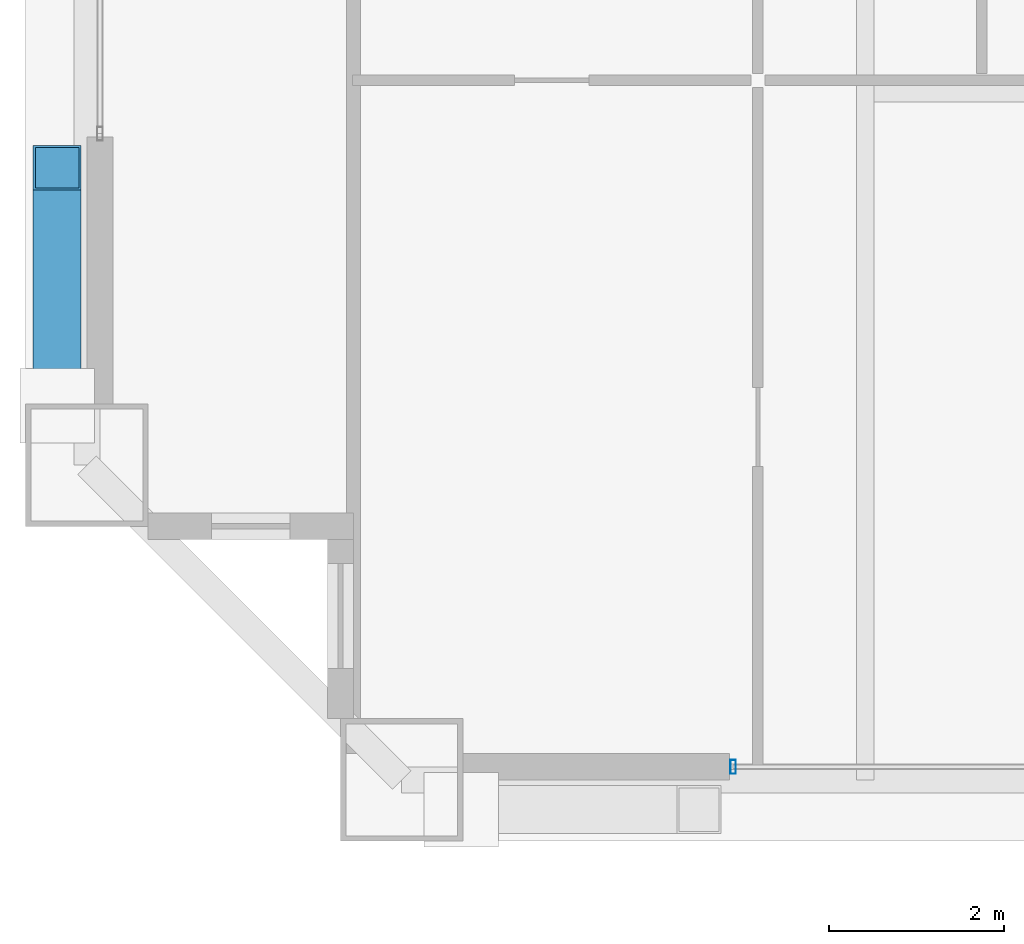
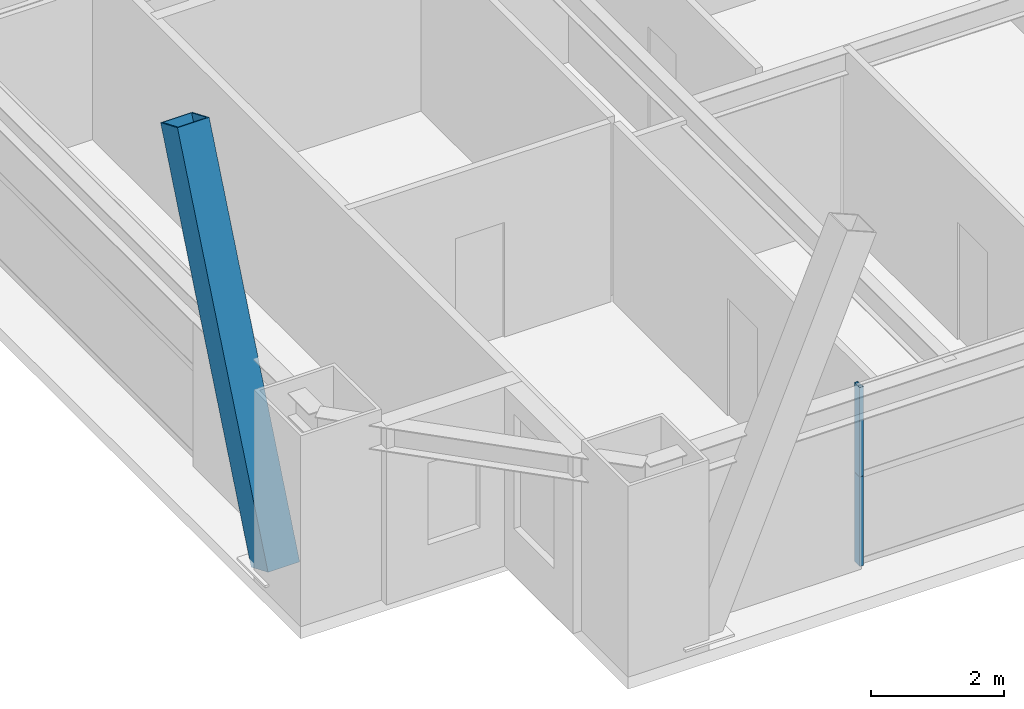
# One storey, part 4 of 45: 3 members, 1 element without a shape of its own.
"""IFC4 building model written with IfcOpenShell, lengths in metres."""

from ifc_helpers import new_model, si_unit, direction, frame, origin, origin_2d, place, context, subcontext, project, spatial, hollow_rectangle, extrude, source, transform, mapped, material, layer, layer_set, material_profile, profile_set, type_object, element, aggregate, save


model = new_model("IFC4")

# Units and contexts
model_context = context("Model", 3, precision=1e-05, world=origin(), true_north=direction((0.0, 1.0)))
body_context = subcontext(model_context, "Body", "Model", "MODEL_VIEW")
ifc_project = project(units=[si_unit("LENGTHUNIT", "METRE"), si_unit("AREAUNIT", "SQUARE_METRE"), si_unit("VOLUMEUNIT", "CUBIC_METRE"), si_unit("PLANEANGLEUNIT", "RADIAN"), si_unit("MASSUNIT", "GRAM", prefix="KILO"), si_unit("THERMODYNAMICTEMPERATUREUNIT", "KELVIN"), si_unit("POWERUNIT", "WATT")], contexts=[model_context])

# Site, building, storey
site_placement = place(None, origin())
site = spatial("IfcSite", under=ifc_project, at=site_placement, CompositionType="ELEMENT")
building_placement = place(site_placement, origin())
building = spatial("IfcBuilding", under=site, at=building_placement, Name="Yuzanri Waterfront Tower", CompositionType="ELEMENT")
storey_placement = place(building_placement, frame((0.0, 0.0, 198.5)))
storey = spatial("IfcBuildingStorey", under=building, at=storey_placement, Name="L52", CompositionType="ELEMENT", Elevation=198.5)

# Member
ifc_material_1 = material(Name="Steel Q390GJC", Category="steel")
ifc_material_profile_1 = material_profile(ifc_material_1, hollow_rectangle(XDim=0.550048828125, YDim=0.550048828125, WallThickness=0.02490234375, at=origin_2d()), Name="RHS 550x550x25")
ifc_profile_set_1 = profile_set([ifc_material_profile_1], Name="Steel Q390GJC")
member_type_1 = type_object("IfcMemberType", Name="Mega Brace Mid Q390GJC RHS 550x550x25", PredefinedType="BRACE", material=ifc_profile_set_1)
shared_shape_1 = source(origin(), body_context, "Body", "SweptSolid", [
    extrude(hollow_rectangle(XDim=0.550048828125, YDim=0.550048828125, WallThickness=0.02490234375, at=origin_2d()), origin(), (0.0, 0.0, 1.0), 7.046142578125),
])
member_1_placement = place(storey_placement, frame((14.56005859375, 7.97998046875, 0.179931640625), z_axis=(0.0, 0.386022211732, 0.922489486146), x_axis=(-1.0, 0.0, 0.0)))
element("IfcMember", 1, at=member_1_placement, inside=storey, type_object=member_type_1, Name="L52-L53 Perimeter Mega-Brace W-L", PredefinedType="BRACE", context=body_context, shape_type="MappedRepresentation", body=[
    mapped(shared_shape_1, transform((0.0, 0.0, 0.0), scale=1.0)),
])

# Curtain wall, members
ifc_material_2 = material(Name="Anodized Architectural Bronze", Category="metal")
ifc_layer = layer(ifc_material_2, 0.159912109375)
ifc_layer_set = layer_set([ifc_layer], Name="Anodized Architectural Bronze")
curtain_wall_type = type_object("IfcCurtainWallType", Name="Anodized Bronze Mid-Rise Residential Acoustic Unitized Curtain Wall 7200", PredefinedType="NOTDEFINED", material=ifc_layer_set)
curtain_wall_placement = place(storey_placement, origin())
curtain_wall = element("IfcCurtainWall", 2, at=curtain_wall_placement, inside=storey, type_object=curtain_wall_type, Name="L52 Curtain Wall CW-L52-SL", PredefinedType="NOTDEFINED")
ifc_material_3 = material(Name="Anodized Architectural Bronze", Category="metal")
ifc_material_profile_2 = material_profile(ifc_material_3, hollow_rectangle(XDim=0.06494140625, YDim=0.159912109375, WallThickness=0.00341796875, at=origin_2d()), Name="CWM 65x160")
ifc_profile_set_2 = profile_set([ifc_material_profile_2], Name="Anodized Architectural Bronze")
member_type_2 = type_object("IfcMemberType", Name="Anodized Bronze Upper-Zone Curtain-Wall Mullion 65x160", PredefinedType="MULLION", material=ifc_profile_set_2)
shared_shape_2 = source(origin(), body_context, "Body", "SweptSolid", [
    extrude(hollow_rectangle(XDim=0.06494140625, YDim=0.159912109375, WallThickness=0.00341796875, at=origin_2d()), origin(), (0.0, 0.0, 1.0), 1.637939453125),
])
member_2_placement = place(storey_placement, frame((22.2900390625, 3.85009765625, 0.0), z_axis=(0.0, 0.0, 1.0), x_axis=(1.0, 0.0, 0.0)))
member_2 = element("IfcMember", 3, at=member_2_placement, type_object=member_type_2, Name="CW-L52-SL Lower Mullion 00", PredefinedType="MULLION", context=body_context, shape_type="MappedRepresentation", body=[
    mapped(shared_shape_2, transform((0.0, 0.0, 0.0), scale=1.0)),
])
member_3_placement = place(storey_placement, frame((22.2900390625, 3.85009765625, 1.64208984375), z_axis=(0.0, 0.0, 1.0), x_axis=(1.0, 0.0, 0.0)))
member_3 = element("IfcMember", 4, at=member_3_placement, type_object=member_type_2, Name="CW-L52-SL Upper Mullion 00", PredefinedType="MULLION", context=body_context, shape_type="MappedRepresentation", body=[
    mapped(shared_shape_2, transform((0.0, 0.0, 0.0), scale=1.0)),
])
aggregate(curtain_wall, [member_2, member_3])

save(model, "model.ifc")
